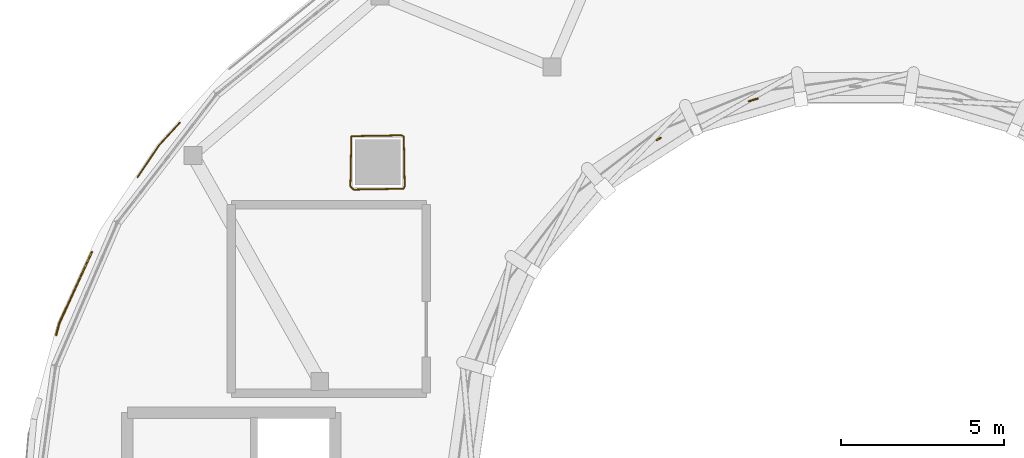
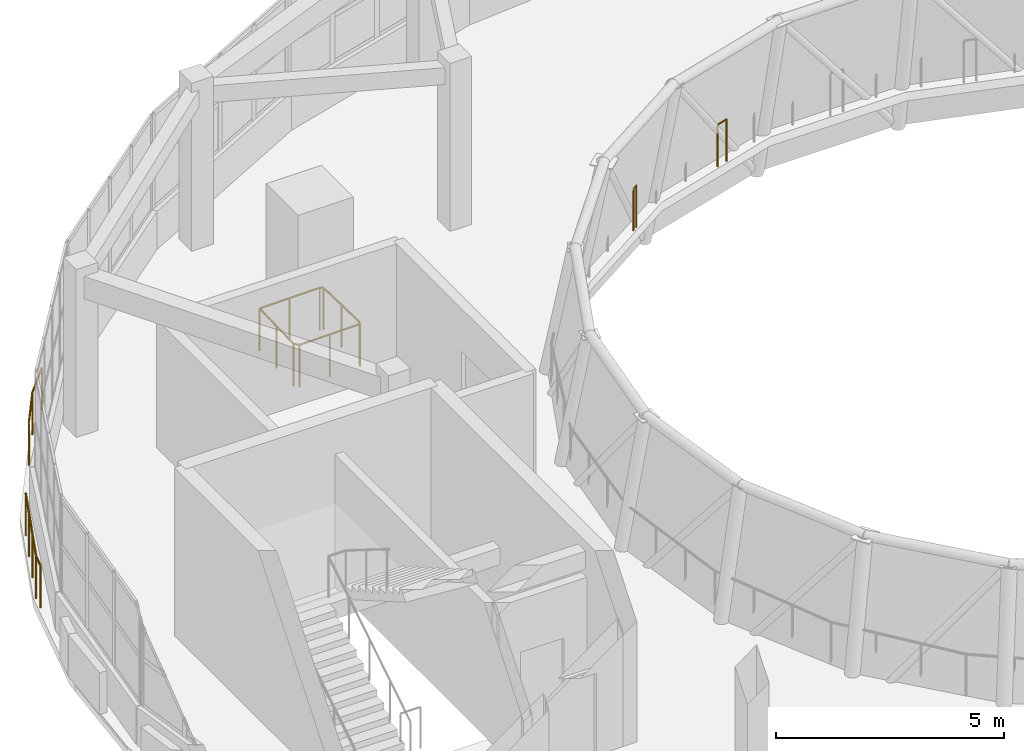
# One storey, part 43 of 46: 6 railings.
"""IFC4 building model written with IfcOpenShell, lengths in metres."""

import ifcopenshell
import ifcopenshell.guid

model = None  # the IFC model being written
_history = None  # IfcOwnerHistory: only IFC2X3 demands one
_inside = {}  # id of a spatial element -> (the spatial element, [elements in it])
_under = {}  # id of a project, library or spatial element -> (it, [spatial elements below it])
_declared = {}  # id of a project -> (the project, [libraries it declares])
_typed = {}  # id of a type object -> (the type object, [elements of that type])
_made_of = {}  # id of a material, layer set ... -> (it, [elements and type objects made of it])


def new_model(schema):
    """Start an empty IFC model of exactly this schema.

    Asked for "IFC4X3", IfcOpenShell would pick the latest addendum, in which some entities
    have other attributes; the version numbers below select the first issue.
    IFC2X3 requires an IfcOwnerHistory on every rooted entity: one is made here for all.
    """
    global model, _history
    if schema == "IFC4X3":
        model = ifcopenshell.file(schema_version=(4, 3, 0, 0))
    else:
        model = ifcopenshell.file(schema=schema)
    _inside.clear()
    _under.clear()
    _declared.clear()
    _typed.clear()
    _made_of.clear()
    _history = None
    if model.schema == "IFC2X3":
        org = make("IfcOrganization", Name="unknown")
        user = make(
            "IfcPersonAndOrganization",
            ThePerson=make("IfcPerson", FamilyName="unknown"),
            TheOrganization=org,
        )
        app = make(
            "IfcApplication",
            ApplicationDeveloper=org,
            Version="unknown",
            ApplicationFullName="unknown",
            ApplicationIdentifier="unknown",
        )
        _history = make(
            "IfcOwnerHistory",
            OwningUser=user,
            OwningApplication=app,
            ChangeAction="ADDED",
            CreationDate=0,
        )
    return model


def make(cls, **values):
    """One entity of the class cls with the attributes given. An attribute that is None is left unset."""
    return model.create_entity(
        cls, **{name: value for name, value in values.items() if value is not None}
    )


def rooted(cls, **values):
    """An entity with a GlobalId (a new one), such as an element, a storey or a relation."""
    return make(cls, GlobalId=ifcopenshell.guid.new(), OwnerHistory=_history, **values)


def si_unit(unit_type, name, prefix=None):
    """IfcSIUnit, for example si_unit("LENGTHUNIT", "METRE", prefix="MILLI")."""
    return make("IfcSIUnit", UnitType=unit_type, Prefix=prefix, Name=name)


def assignment(units):
    """IfcUnitAssignment: the units of a project."""
    return None if units is None else make("IfcUnitAssignment", Units=units)


def point(xyz):
    """IfcCartesianPoint."""
    return None if xyz is None else make("IfcCartesianPoint", Coordinates=xyz)


def direction(xyz):
    """IfcDirection."""
    return None if xyz is None else make("IfcDirection", DirectionRatios=xyz)


def frame(location, z_axis=None, x_axis=None):
    """IfcAxis2Placement3D, a coordinate frame: its origin and axes. An axis left out is left unset."""
    return make(
        "IfcAxis2Placement3D",
        Location=point(location),
        Axis=direction(z_axis),
        RefDirection=direction(x_axis),
    )


def frame_2d(location, x_axis=None):
    """IfcAxis2Placement2D, a coordinate frame in the plane: its origin and x axis."""
    return make(
        "IfcAxis2Placement2D", Location=point(location), RefDirection=direction(x_axis)
    )


def origin():
    """The frame at (0, 0, 0) with its axes left unset."""
    return frame((0.0, 0.0, 0.0))


def origin_2d():
    """The frame at (0, 0) in the plane with its x axis left unset."""
    return frame_2d((0.0, 0.0))


def place(relative_to, where):
    """IfcLocalPlacement: puts the frame where relative to a parent placement (None: the world)."""
    return make(
        "IfcLocalPlacement", PlacementRelTo=relative_to, RelativePlacement=where
    )


def context(
    kind, dimensions, precision=None, world=None, true_north=None, identifier=None
):
    """IfcGeometricRepresentationContext, for example the 3D "Model" context."""
    return make(
        "IfcGeometricRepresentationContext",
        ContextIdentifier=identifier,
        ContextType=kind,
        CoordinateSpaceDimension=dimensions,
        Precision=precision,
        WorldCoordinateSystem=world,
        TrueNorth=true_north,
    )


def subcontext(parent, identifier, kind, view, scale=None):
    """IfcGeometricRepresentationSubContext, for example "Body" below "Model"."""
    return make(
        "IfcGeometricRepresentationSubContext",
        ContextIdentifier=identifier,
        ContextType=kind,
        ParentContext=parent,
        TargetScale=scale,
        TargetView=view,
    )


def project(units=None, contexts=None):
    """IfcProject with its units and contexts."""
    return rooted(
        "IfcProject",
        Name="project",
        RepresentationContexts=contexts,
        UnitsInContext=assignment(units),
    )


def spatial(cls, under=None, at=None, **own):
    """A site, building, storey or space (cls), placed at a placement, below another one or the project."""
    s = rooted(cls, ObjectPlacement=at, **own)
    if under is not None:
        _under.setdefault(under.id(), (under, []))[1].append(s)
    return s


def profile(cls, at=None, kind="AREA", **sizes):
    """A parametric profile (cls). Its sizes go by their IFC names, for example OverallWidth=200.0."""
    return make(cls, ProfileType=kind, Position=at, **sizes)


def circle(**sizes):
    """IfcCircleProfileDef."""
    return profile("IfcCircleProfileDef", **sizes)


def extrude(swept, where, along, depth):
    """IfcExtrudedAreaSolid: the profile swept, set in the frame where, extruded along a direction by depth."""
    return make(
        "IfcExtrudedAreaSolid",
        SweptArea=swept,
        Position=where,
        ExtrudedDirection=direction(along),
        Depth=depth,
    )


def shape(context_of_items, identifier, shape_type, items):
    """IfcShapeRepresentation: the items that make up one representation, for example the "Body"."""
    return make(
        "IfcShapeRepresentation",
        ContextOfItems=context_of_items,
        RepresentationIdentifier=identifier,
        RepresentationType=shape_type,
        Items=items,
    )


def material(Name=None, Category=None):
    """IfcMaterial."""
    return make("IfcMaterial", Name=Name, Category=Category)


def made_of(thing, what):
    """Note that an element or type object is made of a material, layer set ...; save() writes the relation."""
    if what is not None:
        _made_of.setdefault(what.id(), (what, []))[1].append(thing)
    return thing


def type_object(cls, material=None, **own):
    """A type object (cls), such as IfcWallType, which elements share."""
    return made_of(rooted(cls, **own), material)


def element(
    cls,
    number,
    at=None,
    inside=None,
    cuts=None,
    type_object=None,
    material=None,
    context=None,
    identifier="Body",
    shape_type=None,
    held_by="IfcProductDefinitionShape",
    body=None,
    shapes=None,
    **own,
):
    """One element of the class cls, such as IfcWall. Its Tag is "e" and its number.

    at: its placement. inside: the storey or other place that contains it. cuts: it is an
    opening in that element (IfcRelVoidsElement). A single representation is given by context,
    identifier, shape_type and body (its items); several are given by shapes. held_by: the class
    of the entity that holds the representations. save() writes the other relations.
    """
    e = rooted(cls, Tag="e%d" % number, ObjectPlacement=at, **own)
    if body is not None:
        shapes = [shape(context, identifier, shape_type, body)]
    if shapes is not None:
        e.Representation = make(held_by, Representations=shapes)
    if inside is not None:
        _inside.setdefault(inside.id(), (inside, []))[1].append(e)
    if cuts is not None:
        rooted(
            "IfcRelVoidsElement", RelatingBuildingElement=cuts, RelatedOpeningElement=e
        )
    if type_object is not None:
        _typed.setdefault(type_object.id(), (type_object, []))[1].append(e)
    return made_of(e, material)


def aggregate(whole, parts):
    """IfcRelAggregates: a whole, such as a stair, and the parts it consists of."""
    return rooted("IfcRelAggregates", RelatingObject=whole, RelatedObjects=parts)


def save(model, path):
    """Write the relations noted so far, then the file.

    IfcRelAggregates (storeys below a building ...), IfcRelContainedInSpatialStructure (elements
    in a storey), IfcRelDefinesByType, IfcRelAssociatesMaterial and IfcRelDeclares: one each for
    every whole, place, type object, material and project.
    """
    for whole, parts in _under.values():
        aggregate(whole, parts)
    for where, things in _inside.values():
        rooted(
            "IfcRelContainedInSpatialStructure",
            RelatedElements=things,
            RelatingStructure=where,
        )
    for kind, things in _typed.values():
        rooted("IfcRelDefinesByType", RelatedObjects=things, RelatingType=kind)
    for what, things in _made_of.values():
        rooted("IfcRelAssociatesMaterial", RelatedObjects=things, RelatingMaterial=what)
    for by, libraries in _declared.values():
        rooted("IfcRelDeclares", RelatingContext=by, RelatedDefinitions=libraries)
    model.write(path)


model = new_model("IFC4")

# Units and contexts
model_context = context("Model", 3, precision=1e-05, world=origin(), true_north=direction((0.0, 1.0)))
body_context = subcontext(model_context, "Body", "Model", "MODEL_VIEW")
ifc_project = project(units=[si_unit("LENGTHUNIT", "METRE"), si_unit("AREAUNIT", "SQUARE_METRE"), si_unit("VOLUMEUNIT", "CUBIC_METRE"), si_unit("PLANEANGLEUNIT", "RADIAN"), si_unit("MASSUNIT", "GRAM", prefix="KILO")], contexts=[model_context])

# Site, building, storey
site_placement = place(None, origin())
site = spatial("IfcSite", under=ifc_project, at=site_placement, CompositionType="ELEMENT")
building_placement = place(site_placement, origin())
building = spatial("IfcBuilding", under=site, at=building_placement, Name="Pelvatis Terrace Science Centre", CompositionType="ELEMENT")
storey_placement = place(building_placement, frame((0.0, 0.0, 19.800048828125)))
storey = spatial("IfcBuildingStorey", under=building, at=storey_placement, Name="L04", CompositionType="ELEMENT", Elevation=19.800048828125)

# Railings
ifc_material = material(Name="Bronze-anodised aluminium and laminated safety glass balustrade", Category="aluminium")
railing_type = type_object("IfcRailingType", Name="RLG-BAL-1150", PredefinedType="BALUSTRADE", material=ifc_material)
railing_1_placement = place(storey_placement, frame((84.613525390625, 90.191162109375, 0.0)))
element("IfcRailing", 1, at=railing_1_placement, inside=storey, type_object=railing_type, Name="Perimeter edge balustrade RLG-EDG-L04-384", PredefinedType="BALUSTRADE", context=body_context, shape_type="SweptSolid", body=[
    extrude(circle(Radius=0.02392578125, at=origin_2d()), frame((0.0, 0.0, 1.1259765625), z_axis=(0.258028553137, 0.966137291365, 0.0), x_axis=(-0.966137291365, 0.258028553137, 0.0)), (0.0, 0.0, 1.0), 0.373779296875),
    extrude(circle(Radius=0.02392578125, at=origin_2d()), frame((0.096435546875, 0.361083984375, 1.1259765625), z_axis=(0.415946486667, 0.90938909177, 0.0), x_axis=(-0.90938909177, 0.415946486667, 0.0)), (0.0, 0.0, 1.0), 2.409912109375),
    extrude(circle(Radius=0.02099609375, at=origin_2d()), origin(), (0.0, 0.0, 1.0), 1.101806640625),
    extrude(circle(Radius=0.02099609375, at=origin_2d()), frame((0.096435546875, 0.361083984375, 0.0)), (0.0, 0.0, 1.0), 1.101806640625),
    extrude(circle(Radius=0.02099609375, at=origin_2d()), frame((0.4306640625, 1.091552734375, 0.0)), (0.0, 0.0, 1.0), 1.101806640625),
    extrude(circle(Radius=0.02099609375, at=origin_2d()), frame((0.7646484375, 1.822265625, 0.0)), (0.0, 0.0, 1.0), 1.101806640625),
    extrude(circle(Radius=0.02099609375, at=origin_2d()), frame((1.098876953125, 2.552734375, 0.0)), (0.0, 0.0, 1.0), 1.101806640625),
])
railing_2_placement = place(storey_placement, frame((87.115966796875, 95.040771484375, 0.0)))
element("IfcRailing", 2, at=railing_2_placement, inside=storey, type_object=railing_type, Name="Perimeter edge balustrade RLG-EDG-L04-385", PredefinedType="BALUSTRADE", context=body_context, shape_type="SweptSolid", body=[
    extrude(circle(Radius=0.02392578125, at=origin_2d()), frame((0.0, 0.0, 1.1259765625), z_axis=(0.556412327291, 0.83090632567, 0.0), x_axis=(-0.83090632567, 0.556412327291, 0.0)), (0.0, 0.0, 1.0), 1.183837890625),
    extrude(circle(Radius=0.02392578125, at=origin_2d()), frame((0.65869140625, 0.983642578125, 1.1259765625), z_axis=(0.676305541062, 0.736621215502, 0.0), x_axis=(-0.736621215502, 0.676305541062, 0.0)), (0.0, 0.0, 1.0), 0.951171875),
    extrude(circle(Radius=0.02099609375, at=origin_2d()), origin(), (0.0, 0.0, 1.0), 1.101806640625),
    extrude(circle(Radius=0.02099609375, at=origin_2d()), frame((0.65869140625, 0.983642578125, 0.0)), (0.0, 0.0, 1.0), 1.101806640625),
    extrude(circle(Radius=0.02099609375, at=origin_2d()), frame((1.302001953125, 1.684326171875, 0.0)), (0.0, 0.0, 1.0), 1.101806640625),
])
railing_3_placement = place(storey_placement, frame((106.1943359375, 97.46240234375, 0.0)))
element("IfcRailing", 3, at=railing_3_placement, inside=storey, type_object=railing_type, Name="Perimeter edge balustrade RLG-EDG-L04-421", PredefinedType="BALUSTRADE", context=body_context, shape_type="SweptSolid", body=[
    extrude(circle(Radius=0.02392578125, at=origin_2d()), frame((0.0, 0.0, 1.1259765625), z_axis=(-0.95943453983, -0.281931487744, 0.0), x_axis=(0.281931487744, -0.95943453983, 0.0)), (0.0, 0.0, 1.0), 0.281494140625),
    extrude(circle(Radius=0.02099609375, at=origin_2d()), origin(), (0.0, 0.0, 1.0), 1.101806640625),
    extrude(circle(Radius=0.02099609375, at=origin_2d()), frame((-0.27001953125, -0.079345703125, 0.0)), (0.0, 0.0, 1.0), 1.101806640625),
])
railing_4_placement = place(storey_placement, frame((103.210693359375, 96.259033203125, 0.0)))
element("IfcRailing", 4, at=railing_4_placement, inside=storey, type_object=railing_type, Name="Perimeter edge balustrade RLG-EDG-L04-422", PredefinedType="BALUSTRADE", context=body_context, shape_type="SweptSolid", body=[
    extrude(circle(Radius=0.02392578125, at=origin_2d()), frame((0.0, 0.0, 1.1259765625), z_axis=(-0.841474881866, -0.540296236512, 0.0), x_axis=(0.540296236512, -0.841474881866, 0.0)), (0.0, 0.0, 1.0), 0.1337890625),
    extrude(circle(Radius=0.02099609375, at=origin_2d()), origin(), (0.0, 0.0, 1.0), 1.101806640625),
    extrude(circle(Radius=0.02099609375, at=origin_2d()), frame((-0.112548828125, -0.072265625, 0.0)), (0.0, 0.0, 1.0), 1.101806640625),
])
railing_5_placement = place(storey_placement, frame((93.6650390625, 94.764892578125, 0.0)))
element("IfcRailing", 5, at=railing_5_placement, inside=storey, type_object=railing_type, Name="Perimeter edge balustrade RLG-EDG-L04-428", PredefinedType="BALUSTRADE", context=body_context, shape_type="SweptSolid", body=[
    extrude(circle(Radius=0.02392578125, at=origin_2d()), frame((0.0, 0.0, 1.1259765625), z_axis=(0.69740361411, -0.716678588369, 0.0), x_axis=(0.716678588369, 0.69740361411, 0.0)), (0.0, 0.0, 1.0), 0.139404296875),
    extrude(circle(Radius=0.02392578125, at=origin_2d()), frame((0.09716796875, -0.099853515625, 1.1259765625), z_axis=(0.999842712423, 0.017735569178, 0.0), x_axis=(-0.017735569178, 0.999842712423, 0.0)), (0.0, 0.0, 1.0), 1.541748046875),
    extrude(circle(Radius=0.02392578125, at=origin_2d()), frame((1.638671875, -0.072509765625, 1.1259765625), z_axis=(0.395784388511, 0.918343463967, 0.0), x_axis=(-0.918343463967, 0.395784388511, 0.0)), (0.0, 0.0, 1.0), 0.078857421875),
    extrude(circle(Radius=0.02392578125, at=origin_2d()), frame((1.669921875, 0.0, 1.1259765625), z_axis=(-0.017766511544, 0.999842163078, 0.0), x_axis=(-0.999842163078, -0.017766511544, 0.0)), (0.0, 0.0, 1.0), 1.5390625),
    extrude(circle(Radius=0.02099609375, at=origin_2d()), origin(), (0.0, 0.0, 1.0), 1.101806640625),
    extrude(circle(Radius=0.02099609375, at=origin_2d()), frame((0.09716796875, -0.099853515625, 0.0)), (0.0, 0.0, 1.0), 1.101806640625),
    extrude(circle(Radius=0.02099609375, at=origin_2d()), frame((0.867919921875, -0.086181640625, 0.0)), (0.0, 0.0, 1.0), 1.101806640625),
    extrude(circle(Radius=0.02099609375, at=origin_2d()), frame((1.638671875, -0.072509765625, 0.0)), (0.0, 0.0, 1.0), 1.101806640625),
    extrude(circle(Radius=0.02099609375, at=origin_2d()), frame((1.669921875, 0.0, 0.0)), (0.0, 0.0, 1.0), 1.101806640625),
    extrude(circle(Radius=0.02099609375, at=origin_2d()), frame((1.65625, 0.76953125, 0.0)), (0.0, 0.0, 1.0), 1.101806640625),
    extrude(circle(Radius=0.02099609375, at=origin_2d()), frame((1.642578125, 1.538818359375, 0.0)), (0.0, 0.0, 1.0), 1.101806640625),
])
railing_6_placement = place(storey_placement, frame((95.3076171875, 96.3037109375, 0.0)))
element("IfcRailing", 6, at=railing_6_placement, inside=storey, type_object=railing_type, Name="Perimeter edge balustrade RLG-EDG-L04-429", PredefinedType="BALUSTRADE", context=body_context, shape_type="SweptSolid", body=[
    extrude(circle(Radius=0.02392578125, at=origin_2d()), frame((0.0, 0.0, 1.1259765625), z_axis=(-0.918343463967, 0.395784388511, 0.0), x_axis=(-0.395784388511, -0.918343463967, 0.0)), (0.0, 0.0, 1.0), 0.078857421875),
    extrude(circle(Radius=0.02392578125, at=origin_2d()), frame((-0.072509765625, 0.03125, 1.1259765625), z_axis=(-0.999842163078, -0.017766511544, 0.0), x_axis=(0.017766511544, -0.999842163078, 0.0)), (0.0, 0.0, 1.0), 1.5390625),
    extrude(circle(Radius=0.02392578125, at=origin_2d()), frame((-1.611328125, 0.00390625, 1.1259765625), z_axis=(-0.020252215155, -0.999794902858, 0.0), x_axis=(0.999794902858, -0.020252215155, 0.0)), (0.0, 0.0, 1.0), 1.54296875),
    extrude(circle(Radius=0.02099609375, at=origin_2d()), origin(), (0.0, 0.0, 1.0), 1.101806640625),
    extrude(circle(Radius=0.02099609375, at=origin_2d()), frame((-0.072509765625, 0.03125, 0.0)), (0.0, 0.0, 1.0), 1.101806640625),
    extrude(circle(Radius=0.02099609375, at=origin_2d()), frame((-0.841796875, 0.017578125, 0.0)), (0.0, 0.0, 1.0), 1.101806640625),
    extrude(circle(Radius=0.02099609375, at=origin_2d()), frame((-1.611328125, 0.00390625, 0.0)), (0.0, 0.0, 1.0), 1.101806640625),
    extrude(circle(Radius=0.02099609375, at=origin_2d()), frame((-1.626953125, -0.767578125, 0.0)), (0.0, 0.0, 1.0), 1.101806640625),
    extrude(circle(Radius=0.02099609375, at=origin_2d()), frame((-1.642578125, -1.538818359375, 0.0)), (0.0, 0.0, 1.0), 1.101806640625),
])

save(model, "model.ifc")
